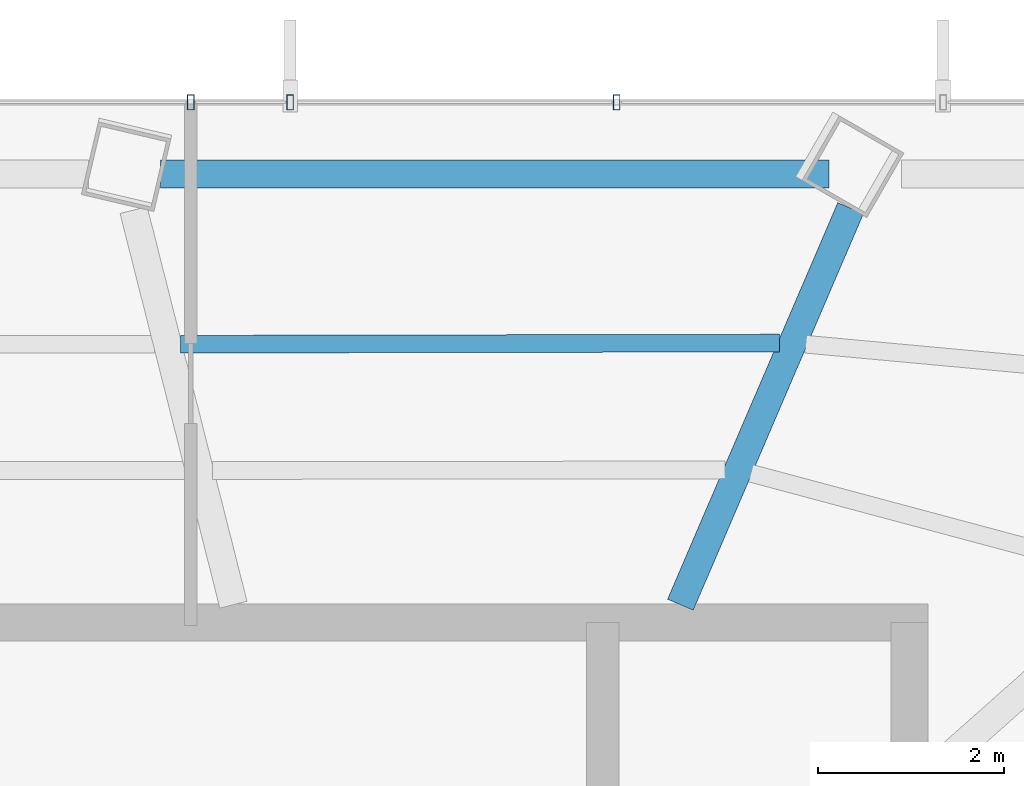
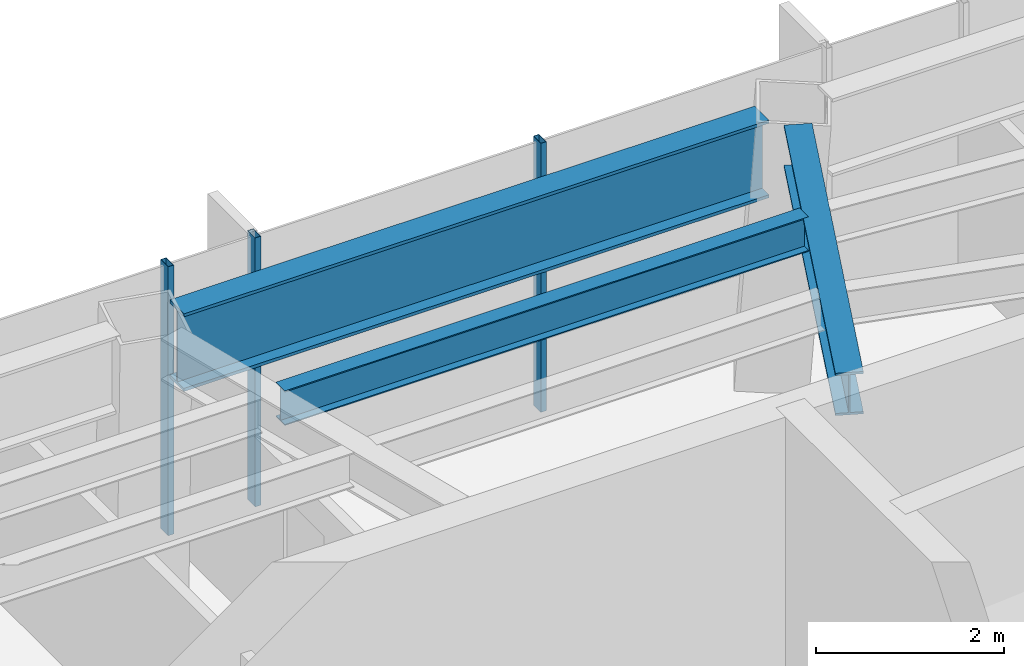
# One storey, part 16 of 28: 3 beams, 3 members, 1 element without a shape of its own.
"""IFC4 building model written with IfcOpenShell, lengths in metres."""

import ifcopenshell
import ifcopenshell.guid

model = None  # the IFC model being written
_history = None  # IfcOwnerHistory: only IFC2X3 demands one
_inside = {}  # id of a spatial element -> (the spatial element, [elements in it])
_under = {}  # id of a project, library or spatial element -> (it, [spatial elements below it])
_declared = {}  # id of a project -> (the project, [libraries it declares])
_typed = {}  # id of a type object -> (the type object, [elements of that type])
_made_of = {}  # id of a material, layer set ... -> (it, [elements and type objects made of it])


def new_model(schema):
    """Start an empty IFC model of exactly this schema.

    Asked for "IFC4X3", IfcOpenShell would pick the latest addendum, in which some entities
    have other attributes; the version numbers below select the first issue.
    IFC2X3 requires an IfcOwnerHistory on every rooted entity: one is made here for all.
    """
    global model, _history
    if schema == "IFC4X3":
        model = ifcopenshell.file(schema_version=(4, 3, 0, 0))
    else:
        model = ifcopenshell.file(schema=schema)
    _inside.clear()
    _under.clear()
    _declared.clear()
    _typed.clear()
    _made_of.clear()
    _history = None
    if model.schema == "IFC2X3":
        org = make("IfcOrganization", Name="unknown")
        user = make(
            "IfcPersonAndOrganization",
            ThePerson=make("IfcPerson", FamilyName="unknown"),
            TheOrganization=org,
        )
        app = make(
            "IfcApplication",
            ApplicationDeveloper=org,
            Version="unknown",
            ApplicationFullName="unknown",
            ApplicationIdentifier="unknown",
        )
        _history = make(
            "IfcOwnerHistory",
            OwningUser=user,
            OwningApplication=app,
            ChangeAction="ADDED",
            CreationDate=0,
        )
    return model


def make(cls, **values):
    """One entity of the class cls with the attributes given. An attribute that is None is left unset."""
    return model.create_entity(
        cls, **{name: value for name, value in values.items() if value is not None}
    )


def rooted(cls, **values):
    """An entity with a GlobalId (a new one), such as an element, a storey or a relation."""
    return make(cls, GlobalId=ifcopenshell.guid.new(), OwnerHistory=_history, **values)


def si_unit(unit_type, name, prefix=None):
    """IfcSIUnit, for example si_unit("LENGTHUNIT", "METRE", prefix="MILLI")."""
    return make("IfcSIUnit", UnitType=unit_type, Prefix=prefix, Name=name)


def assignment(units):
    """IfcUnitAssignment: the units of a project."""
    return None if units is None else make("IfcUnitAssignment", Units=units)


def point(xyz):
    """IfcCartesianPoint."""
    return None if xyz is None else make("IfcCartesianPoint", Coordinates=xyz)


def direction(xyz):
    """IfcDirection."""
    return None if xyz is None else make("IfcDirection", DirectionRatios=xyz)


def frame(location, z_axis=None, x_axis=None):
    """IfcAxis2Placement3D, a coordinate frame: its origin and axes. An axis left out is left unset."""
    return make(
        "IfcAxis2Placement3D",
        Location=point(location),
        Axis=direction(z_axis),
        RefDirection=direction(x_axis),
    )


def frame_2d(location, x_axis=None):
    """IfcAxis2Placement2D, a coordinate frame in the plane: its origin and x axis."""
    return make(
        "IfcAxis2Placement2D", Location=point(location), RefDirection=direction(x_axis)
    )


def origin():
    """The frame at (0, 0, 0) with its axes left unset."""
    return frame((0.0, 0.0, 0.0))


def origin_2d():
    """The frame at (0, 0) in the plane with its x axis left unset."""
    return frame_2d((0.0, 0.0))


def place(relative_to, where):
    """IfcLocalPlacement: puts the frame where relative to a parent placement (None: the world)."""
    return make(
        "IfcLocalPlacement", PlacementRelTo=relative_to, RelativePlacement=where
    )


def context(
    kind, dimensions, precision=None, world=None, true_north=None, identifier=None
):
    """IfcGeometricRepresentationContext, for example the 3D "Model" context."""
    return make(
        "IfcGeometricRepresentationContext",
        ContextIdentifier=identifier,
        ContextType=kind,
        CoordinateSpaceDimension=dimensions,
        Precision=precision,
        WorldCoordinateSystem=world,
        TrueNorth=true_north,
    )


def subcontext(parent, identifier, kind, view, scale=None):
    """IfcGeometricRepresentationSubContext, for example "Body" below "Model"."""
    return make(
        "IfcGeometricRepresentationSubContext",
        ContextIdentifier=identifier,
        ContextType=kind,
        ParentContext=parent,
        TargetScale=scale,
        TargetView=view,
    )


def project(units=None, contexts=None):
    """IfcProject with its units and contexts."""
    return rooted(
        "IfcProject",
        Name="project",
        RepresentationContexts=contexts,
        UnitsInContext=assignment(units),
    )


def spatial(cls, under=None, at=None, **own):
    """A site, building, storey or space (cls), placed at a placement, below another one or the project."""
    s = rooted(cls, ObjectPlacement=at, **own)
    if under is not None:
        _under.setdefault(under.id(), (under, []))[1].append(s)
    return s


def profile(cls, at=None, kind="AREA", **sizes):
    """A parametric profile (cls). Its sizes go by their IFC names, for example OverallWidth=200.0."""
    return make(cls, ProfileType=kind, Position=at, **sizes)


def hollow_rectangle(**sizes):
    """IfcRectangleHollowProfileDef."""
    return profile("IfcRectangleHollowProfileDef", **sizes)


def i_section(**sizes):
    """IfcIShapeProfileDef."""
    return profile("IfcIShapeProfileDef", **sizes)


def extrude(swept, where, along, depth):
    """IfcExtrudedAreaSolid: the profile swept, set in the frame where, extruded along a direction by depth."""
    return make(
        "IfcExtrudedAreaSolid",
        SweptArea=swept,
        Position=where,
        ExtrudedDirection=direction(along),
        Depth=depth,
    )


def shape(context_of_items, identifier, shape_type, items):
    """IfcShapeRepresentation: the items that make up one representation, for example the "Body"."""
    return make(
        "IfcShapeRepresentation",
        ContextOfItems=context_of_items,
        RepresentationIdentifier=identifier,
        RepresentationType=shape_type,
        Items=items,
    )


def material(Name=None, Category=None):
    """IfcMaterial."""
    return make("IfcMaterial", Name=Name, Category=Category)


def layer(
    of_material, thickness, ventilated=None, Name=None, Category=None, Priority=None
):
    """IfcMaterialLayer: one layer of a wall or slab, of a material (None: an air gap)."""
    return make(
        "IfcMaterialLayer",
        Material=of_material,
        LayerThickness=thickness,
        IsVentilated=ventilated,
        Name=Name,
        Category=Category,
        Priority=Priority,
    )


def layer_set(layers, Name=None):
    """IfcMaterialLayerSet."""
    return make("IfcMaterialLayerSet", MaterialLayers=layers, LayerSetName=Name)


def material_profile(
    of_material, cross_section, Name=None, Category=None, Priority=None
):
    """IfcMaterialProfile: a cross section and its material."""
    return make(
        "IfcMaterialProfile",
        Name=Name,
        Material=of_material,
        Profile=cross_section,
        Priority=Priority,
        Category=Category,
    )


def profile_set(profiles, Name=None, composite=None):
    """IfcMaterialProfileSet."""
    return make(
        "IfcMaterialProfileSet",
        Name=Name,
        MaterialProfiles=profiles,
        CompositeProfile=composite,
    )


def made_of(thing, what):
    """Note that an element or type object is made of a material, layer set ...; save() writes the relation."""
    if what is not None:
        _made_of.setdefault(what.id(), (what, []))[1].append(thing)
    return thing


def type_object(cls, material=None, **own):
    """A type object (cls), such as IfcWallType, which elements share."""
    return made_of(rooted(cls, **own), material)


def element(
    cls,
    number,
    at=None,
    inside=None,
    cuts=None,
    type_object=None,
    material=None,
    context=None,
    identifier="Body",
    shape_type=None,
    held_by="IfcProductDefinitionShape",
    body=None,
    shapes=None,
    **own,
):
    """One element of the class cls, such as IfcWall. Its Tag is "e" and its number.

    at: its placement. inside: the storey or other place that contains it. cuts: it is an
    opening in that element (IfcRelVoidsElement). A single representation is given by context,
    identifier, shape_type and body (its items); several are given by shapes. held_by: the class
    of the entity that holds the representations. save() writes the other relations.
    """
    e = rooted(cls, Tag="e%d" % number, ObjectPlacement=at, **own)
    if body is not None:
        shapes = [shape(context, identifier, shape_type, body)]
    if shapes is not None:
        e.Representation = make(held_by, Representations=shapes)
    if inside is not None:
        _inside.setdefault(inside.id(), (inside, []))[1].append(e)
    if cuts is not None:
        rooted(
            "IfcRelVoidsElement", RelatingBuildingElement=cuts, RelatedOpeningElement=e
        )
    if type_object is not None:
        _typed.setdefault(type_object.id(), (type_object, []))[1].append(e)
    return made_of(e, material)


def aggregate(whole, parts):
    """IfcRelAggregates: a whole, such as a stair, and the parts it consists of."""
    return rooted("IfcRelAggregates", RelatingObject=whole, RelatedObjects=parts)


def save(model, path):
    """Write the relations noted so far, then the file.

    IfcRelAggregates (storeys below a building ...), IfcRelContainedInSpatialStructure (elements
    in a storey), IfcRelDefinesByType, IfcRelAssociatesMaterial and IfcRelDeclares: one each for
    every whole, place, type object, material and project.
    """
    for whole, parts in _under.values():
        aggregate(whole, parts)
    for where, things in _inside.values():
        rooted(
            "IfcRelContainedInSpatialStructure",
            RelatedElements=things,
            RelatingStructure=where,
        )
    for kind, things in _typed.values():
        rooted("IfcRelDefinesByType", RelatedObjects=things, RelatingType=kind)
    for what, things in _made_of.values():
        rooted("IfcRelAssociatesMaterial", RelatedObjects=things, RelatingMaterial=what)
    for by, libraries in _declared.values():
        rooted("IfcRelDeclares", RelatingContext=by, RelatedDefinitions=libraries)
    model.write(path)


model = new_model("IFC4")

# Units and contexts
model_context = context("Model", 3, precision=1e-05, world=origin(), true_north=direction((0.0, 1.0)))
body_context = subcontext(model_context, "Body", "Model", "MODEL_VIEW")
ifc_project = project(units=[si_unit("LENGTHUNIT", "METRE"), si_unit("AREAUNIT", "SQUARE_METRE"), si_unit("VOLUMEUNIT", "CUBIC_METRE"), si_unit("PLANEANGLEUNIT", "RADIAN"), si_unit("MASSUNIT", "GRAM", prefix="KILO")], contexts=[model_context])

# Site, building, storey
site_placement = place(None, origin())
site = spatial("IfcSite", under=ifc_project, at=site_placement, CompositionType="ELEMENT")
building_placement = place(site_placement, origin())
building = spatial("IfcBuilding", under=site, at=building_placement, Name="Zarrinselat Tower", CompositionType="ELEMENT")
storey_placement = place(building_placement, frame((0.0, 0.0, 153.340087890625)))
storey = spatial("IfcBuildingStorey", under=building, at=storey_placement, Name="L37", CompositionType="ELEMENT", Elevation=153.340087890625)

# Beams
ifc_material_1 = material(Name="Steel S355J2", Category="steel")
ifc_material_profile_1 = material_profile(ifc_material_1, i_section(OverallWidth=0.300048828125, OverallDepth=0.550048828125, WebThickness=0.014892578125, FlangeThickness=0.029052734375, at=origin_2d()), Name="HEB 550")
ifc_profile_set_1 = profile_set([ifc_material_profile_1], Name="Steel S355J2")
beam_type_1 = type_object("IfcBeamType", Name="BM-HEB550", PredefinedType="BEAM", material=ifc_profile_set_1)
beam_1_placement = place(storey_placement, frame((45.800048828125, 43.639892578125, 3.21484375), z_axis=(0.394434391847, 0.918924104879, 0.0), x_axis=(-0.918924104879, 0.394434391847, 0.0)))
element("IfcBeam", 1, at=beam_1_placement, inside=storey, type_object=beam_type_1, Name="L37 Radial Primary Girder RG02", PredefinedType="BEAM", context=body_context, shape_type="SweptSolid", body=[
    extrude(i_section(OverallWidth=0.300048828125, OverallDepth=0.550048828125, WebThickness=0.014892578125, FlangeThickness=0.029052734375, at=origin_2d()), origin(), (0.0, 0.0, 1.0), 4.633056640625),
])
ifc_material_2 = material(Name="Steel S460M", Category="steel")
ifc_material_profile_2 = material_profile(ifc_material_2, i_section(OverallWidth=0.302001953125, OverallDepth=1.008056640625, WebThickness=0.02099609375, FlangeThickness=0.0400390625, at=origin_2d()), Name="HEM 1000")
ifc_profile_set_2 = profile_set([ifc_material_profile_2], Name="Steel S460M")
beam_type_2 = type_object("IfcBeamType", Name="BM-HEM1000", PredefinedType="BEAM", material=ifc_profile_set_2)
beam_2_placement = place(storey_placement, frame((40.218017578125, 48.2666015625, 2.98583984375), z_axis=(1.0, 0.0, 0.0), x_axis=(0.0, 1.0, 0.0)))
element("IfcBeam", 2, at=beam_2_placement, inside=storey, type_object=beam_type_2, Name="L37 Perimeter Spandrel Girder SP02", PredefinedType="BEAM", context=body_context, shape_type="SweptSolid", body=[
    extrude(i_section(OverallWidth=0.302001953125, OverallDepth=1.008056640625, WebThickness=0.02099609375, FlangeThickness=0.0400390625, at=origin_2d()), origin(), (0.0, 0.0, 1.0), 7.18017578125),
])
ifc_material_3 = material(Name="Steel S355J2", Category="steel")
ifc_material_profile_3 = material_profile(ifc_material_3, i_section(OverallWidth=0.18994140625, OverallDepth=0.449951171875, WebThickness=0.009521484375, FlangeThickness=0.0146484375, at=origin_2d()), Name="IPE 450")
ifc_profile_set_3 = profile_set([ifc_material_profile_3], Name="Steel S355J2")
beam_type_3 = type_object("IfcBeamType", Name="BM-IPE450", PredefinedType="JOIST", material=ifc_profile_set_3)
beam_3_placement = place(storey_placement, frame((40.432861328125, 46.436767578125, 3.264892578125), z_axis=(0.999998052932, 0.001973355803, 0.0), x_axis=(-0.001973355803, 0.999998052932, 0.0)))
element("IfcBeam", 3, at=beam_3_placement, inside=storey, type_object=beam_type_3, Name="L37 Composite Floor Joist 6-1", PredefinedType="JOIST", context=body_context, shape_type="SweptSolid", body=[
    extrude(i_section(OverallWidth=0.18994140625, OverallDepth=0.449951171875, WebThickness=0.009521484375, FlangeThickness=0.0146484375, at=origin_2d()), origin(), (0.0, 0.0, 1.0), 6.433349609375),
])

# Curtain wall, members
ifc_material_4 = material(Name="Extruded Aluminium Alloy EN AW-6063 T6", Category="aluminium")
ifc_layer = layer(ifc_material_4, 0.175048828125)
ifc_layer_set = layer_set([ifc_layer], Name="Extruded Aluminium Alloy EN AW-6063 T6")
curtain_wall_type = type_object("IfcCurtainWallType", Name="CWS-HTL", PredefinedType="NOTDEFINED", material=ifc_layer_set)
curtain_wall_placement = place(storey_placement, origin())
curtain_wall = element("IfcCurtainWall", 4, at=curtain_wall_placement, inside=storey, type_object=curtain_wall_type, Name="L37 Unitised Curtain Wall CW-L37-E01", PredefinedType="NOTDEFINED")
ifc_material_5 = material(Name="Extruded Aluminium Alloy EN AW-6063 T6", Category="aluminium")
ifc_material_profile_4 = material_profile(ifc_material_5, hollow_rectangle(XDim=0.070068359375, YDim=0.159912109375, WallThickness=0.00390625, at=origin_2d()), Name="RHS 160x70x4")
ifc_profile_set_4 = profile_set([ifc_material_profile_4], Name="Extruded Aluminium Alloy EN AW-6063 T6")
member_type = type_object("IfcMemberType", Name="MEM-CW-MUL2", PredefinedType="MULLION", material=ifc_profile_set_4)
member_1_placement = place(storey_placement, frame((45.11572265625, 49.033203125, 0.0), z_axis=(0.0, 0.0, 1.0), x_axis=(-1.0, 0.0, 0.0)))
member_1 = element("IfcMember", 5, at=member_1_placement, type_object=member_type, Name="CW-L37-E01 Mullion 4", PredefinedType="MULLION", context=body_context, shape_type="SweptSolid", body=[
    extrude(hollow_rectangle(XDim=0.070068359375, YDim=0.159912109375, WallThickness=0.00390625, at=origin_2d()), origin(), (0.0, 0.0, 1.0), 3.489990234375),
])
member_2_placement = place(storey_placement, frame((41.610107421875, 49.033203125, 0.0), z_axis=(0.0, 0.0, 1.0), x_axis=(-1.0, 0.0, 0.0)))
member_2 = element("IfcMember", 6, at=member_2_placement, type_object=member_type, Name="CW-L37-E01 Mullion 5", PredefinedType="MULLION", context=body_context, shape_type="SweptSolid", body=[
    extrude(hollow_rectangle(XDim=0.070068359375, YDim=0.159912109375, WallThickness=0.00390625, at=origin_2d()), origin(), (0.0, 0.0, 1.0), 3.489990234375),
])
member_3_placement = place(storey_placement, frame((40.5419921875, 49.033203125, 0.0), z_axis=(0.0, 0.0, 1.0), x_axis=(-1.0, 0.0, 0.0)))
member_3 = element("IfcMember", 7, at=member_3_placement, type_object=member_type, Name="CW-L37-E01 Mullion 6", PredefinedType="MULLION", context=body_context, shape_type="SweptSolid", body=[
    extrude(hollow_rectangle(XDim=0.070068359375, YDim=0.159912109375, WallThickness=0.00390625, at=origin_2d()), origin(), (0.0, 0.0, 1.0), 3.489990234375),
])
aggregate(curtain_wall, [member_1, member_2, member_3])

save(model, "model.ifc")
